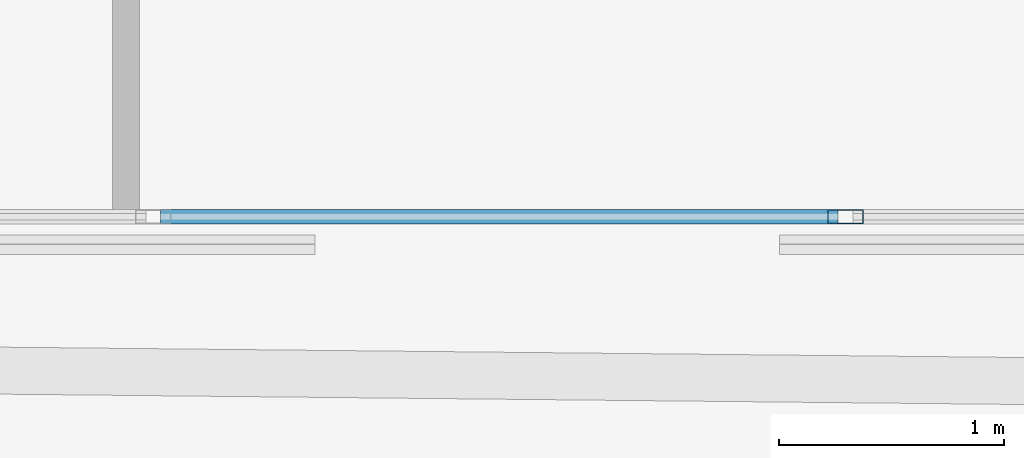
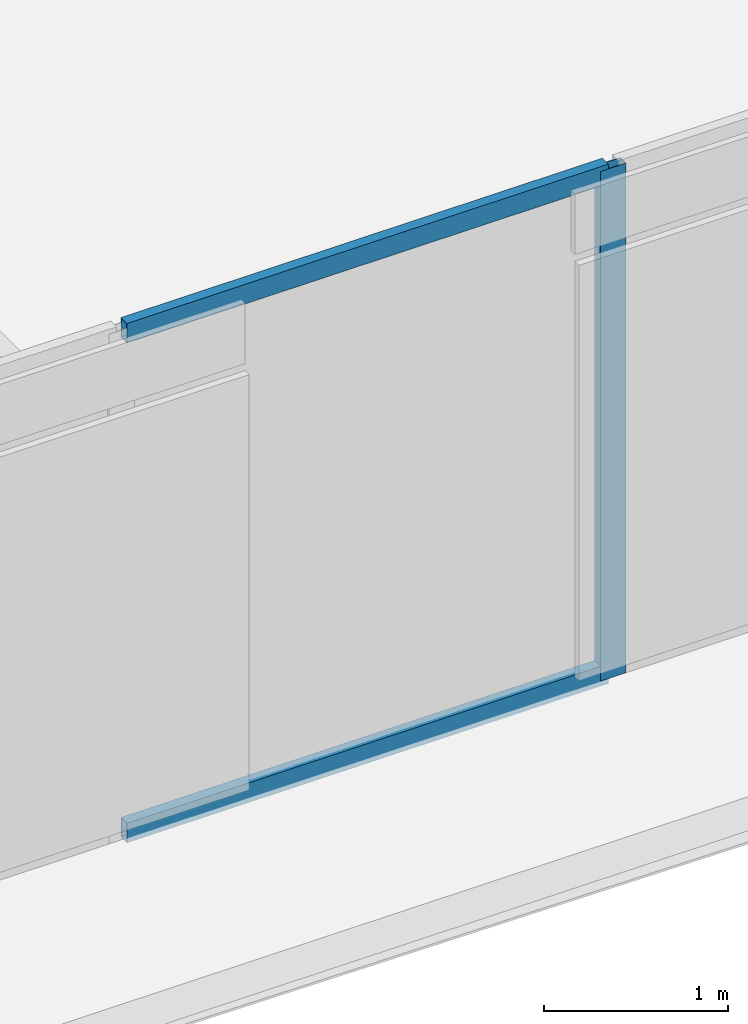
# One storey, part 10 of 39: 3 members, 1 element without a shape of its own.
"""IFC4 building model written with IfcOpenShell, lengths in metres."""

from ifc_helpers import new_model, si_unit, direction, frame, origin, origin_2d, place, context, subcontext, project, spatial, hollow_rectangle, extrude, material, layer, layer_set, material_profile, profile_set, type_object, element, aggregate, save


model = new_model("IFC4")

# Units and contexts
model_context = context("Model", 3, precision=1e-05, world=origin(), true_north=direction((0.0, 1.0)))
body_context = subcontext(model_context, "Body", "Model", "MODEL_VIEW")
ifc_project = project(units=[si_unit("LENGTHUNIT", "METRE"), si_unit("AREAUNIT", "SQUARE_METRE"), si_unit("VOLUMEUNIT", "CUBIC_METRE"), si_unit("PLANEANGLEUNIT", "RADIAN"), si_unit("MASSUNIT", "GRAM", prefix="KILO")], contexts=[model_context])

# Site, building, storey
site_placement = place(None, origin())
site = spatial("IfcSite", under=ifc_project, at=site_placement, CompositionType="ELEMENT")
building_placement = place(site_placement, origin())
building = spatial("IfcBuilding", under=site, at=building_placement, Name="Caelvoria Tower", CompositionType="ELEMENT")
storey_placement = place(building_placement, frame((0.0, 0.0, 198.60009765625)))
storey = spatial("IfcBuildingStorey", under=building, at=storey_placement, Name="L52", CompositionType="ELEMENT", Elevation=198.60009765625)

# Curtain wall, members
ifc_material_1 = material(Name="Anodised Bronze Aluminium and Low-E Glass", Category="aluminium")
ifc_layer = layer(ifc_material_1, 0.175048828125, Name="Anodised Bronze Aluminium and Low-E Glass")
ifc_layer_set = layer_set([ifc_layer], Name="CW System 4 High-Zone Tapered Crystal Facade - Anodised Bronze Aluminium and Low-E Glass")
curtain_wall_type = type_object("IfcCurtainWallType", Name="CW System 4 High-Zone Tapered Crystal Facade", PredefinedType="NOTDEFINED", material=ifc_layer_set)
curtain_wall_placement = place(storey_placement, origin())
curtain_wall = element("IfcCurtainWall", 1, at=curtain_wall_placement, inside=storey, type_object=curtain_wall_type, Name="CW-04 Curtain Wall L52-E0", PredefinedType="NOTDEFINED")
ifc_material_2 = material(Name="Anodised Bronze Architectural Aluminium", Category="aluminium")
ifc_material_profile_1 = material_profile(ifc_material_2, hollow_rectangle(XDim=0.06494140625, YDim=0.159912109375, WallThickness=0.00390625, at=origin_2d()), Name="Anodised Bronze Architectural Aluminium")
ifc_profile_set_1 = profile_set([ifc_material_profile_1], Name="CW_MULL_65X160 - Anodised Bronze Architectural Aluminium")
member_type_1 = type_object("IfcMemberType", Name="Curtain Wall Mullion 65x160 Bronze Aluminium", PredefinedType="MULLION", material=ifc_profile_set_1)
member_1_placement = place(storey_placement, frame((52.159912109375, 13.580078125, 0.0), z_axis=(0.0, 0.0, 1.0), x_axis=(0.0, 1.0, 0.0)))
member_1 = element("IfcMember", 2, at=member_1_placement, type_object=member_type_1, Name="CW-04 mullion 8", PredefinedType="MULLION", context=body_context, shape_type="SweptSolid", body=[
    extrude(hollow_rectangle(XDim=0.06494140625, YDim=0.159912109375, WallThickness=0.00390625, at=origin_2d()), origin(), (0.0, 0.0, 1.0), 3.375),
])
ifc_material_profile_2 = material_profile(ifc_material_2, hollow_rectangle(XDim=0.06494140625, YDim=0.1298828125, WallThickness=0.00341796875, at=origin_2d()), Name="Anodised Bronze Architectural Aluminium")
ifc_profile_set_2 = profile_set([ifc_material_profile_2], Name="CW_TRAN_65X130 - Anodised Bronze Architectural Aluminium")
member_type_2 = type_object("IfcMemberType", Name="Curtain Wall Transom 65x130 Bronze Aluminium", PredefinedType="USERDEFINED", material=ifc_profile_set_2)
member_2_placement = place(storey_placement, frame((49.112548828125, 13.580078125, 0.032470703125), z_axis=(1.0, 0.0, 0.0), x_axis=(0.0, 1.0, 0.0)))
member_2 = element("IfcMember", 3, at=member_2_placement, type_object=member_type_2, Name="CW-04 transom 7.1", ObjectType="TRANSOM", PredefinedType="USERDEFINED", context=body_context, shape_type="SweptSolid", body=[
    extrude(hollow_rectangle(XDim=0.06494140625, YDim=0.1298828125, WallThickness=0.00341796875, at=origin_2d()), origin(), (0.0, 0.0, 1.0), 3.014892578125),
])
member_3_placement = place(storey_placement, frame((49.112548828125, 13.580078125, 3.34228515625), z_axis=(1.0, 0.0, 0.0), x_axis=(0.0, 1.0, 0.0)))
member_3 = element("IfcMember", 4, at=member_3_placement, type_object=member_type_2, Name="CW-04 transom 7.2", ObjectType="TRANSOM", PredefinedType="USERDEFINED", context=body_context, shape_type="SweptSolid", body=[
    extrude(hollow_rectangle(XDim=0.06494140625, YDim=0.1298828125, WallThickness=0.00341796875, at=origin_2d()), origin(), (0.0, 0.0, 1.0), 3.014892578125),
])
aggregate(curtain_wall, [member_1, member_2, member_3])

save(model, "model.ifc")
